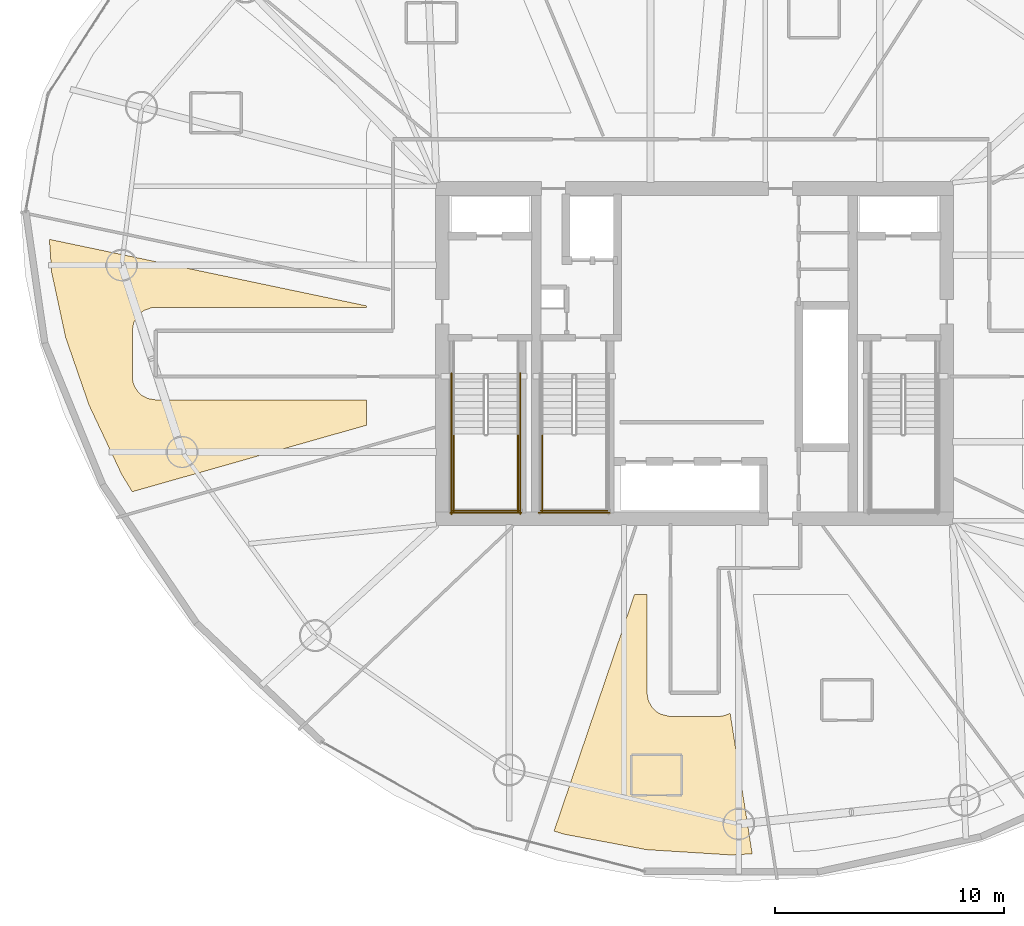
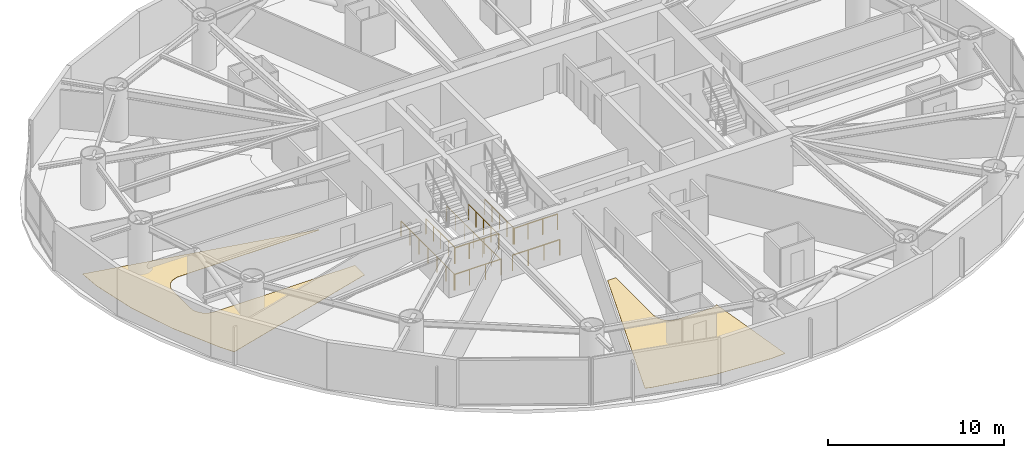
# One storey, part 19 of 22: 9 railings, 2 coverings.
"""IFC4 building model written with IfcOpenShell, lengths in metres."""

from ifc_helpers import new_model, si_unit, direction, frame, origin, origin_2d, place, context, subcontext, project, spatial, polyline, circle, outline, extrude, material, layer, layer_set, type_object, element, save


model = new_model("IFC4")

# Units and contexts
model_context = context("Model", 3, precision=1e-05, world=origin(), true_north=direction((0.0, 1.0)))
body_context = subcontext(model_context, "Body", "Model", "MODEL_VIEW")
ifc_project = project(units=[si_unit("LENGTHUNIT", "METRE"), si_unit("AREAUNIT", "SQUARE_METRE"), si_unit("VOLUMEUNIT", "CUBIC_METRE"), si_unit("PLANEANGLEUNIT", "RADIAN"), si_unit("MASSUNIT", "GRAM", prefix="KILO")], contexts=[model_context])

# Site, building, storey
site_placement = place(None, origin())
site = spatial("IfcSite", under=ifc_project, at=site_placement, CompositionType="ELEMENT")
building_placement = place(site_placement, origin())
building = spatial("IfcBuilding", under=site, at=building_placement, Name="Bramvorn Convention Spire", CompositionType="ELEMENT")
storey_placement = place(building_placement, frame((0.0, 0.0, 120.300048828125)))
storey = spatial("IfcBuildingStorey", under=building, at=storey_placement, Name="L29", CompositionType="ELEMENT", Elevation=120.300048828125)

# Coverings
ifc_material_1 = material(Name="Solution-Dyed Wool Broadloom Hospitality Carpet", Category="textile")
ifc_layer = layer(ifc_material_1, 0.014892578125)
ifc_layer_set = layer_set([ifc_layer], Name="Solution-Dyed Wool Broadloom Hospitality Carpet - FLR-CARPET-15")
covering_type = type_object("IfcCoveringType", Name="FLR-CARPET-15", PredefinedType="FLOORING", material=ifc_layer_set)
covering_1_placement = place(storey_placement, origin())
element("IfcCovering", 1, at=covering_1_placement, inside=storey, type_object=covering_type, Name="Hotel Suite 2907 wool broadloom carpet", PredefinedType="FLOORING", context=body_context, shape_type="SweptSolid", body=[
    extrude(outline(polyline([(13.0185546875, 20.732421875), (13.476318359375, 19.974609375), (23.699951171875, 22.876708984375), (23.699951171875, 23.97998046875), (14.5, 23.97998046875), (14.15087890625, 24.041748046875), (13.897216796875, 24.17724609375), (13.740478515625, 24.319580078125), (13.58056640625, 24.55859375), (13.50927734375, 24.7578125), (13.47998046875, 25.0), (13.47998046875, 27.0), (13.541748046875, 27.34912109375), (13.740478515625, 27.680419921875), (13.980712890625, 27.877685546875), (14.356201171875, 28.009765625), (23.699951171875, 28.02001953125), (23.699951171875, 28.079833984375), (9.86376953125, 30.98193359375), (9.964599609375, 29.542236328125), (10.572998046875, 26.70751953125), (11.59521484375, 23.748779296875), (13.0185546875, 20.732421875)])), origin(), (0.0, 0.0, 1.0), 0.014892578125),
])
covering_2_placement = place(storey_placement, origin())
element("IfcCovering", 2, at=covering_2_placement, inside=storey, type_object=covering_type, Name="Hotel Suite 2910 wool broadloom carpet", PredefinedType="FLOORING", context=body_context, shape_type="SweptSolid", body=[
    extrude(outline(polyline([(39.5966796875, 4.13525390625), (40.51416015625, 4.184326171875), (39.552001953125, 10.31298828125), (39.303466796875, 10.212158203125), (39.10595703125, 10.181640625), (36.89404296875, 10.181640625), (36.508544921875, 10.280517578125), (36.337646484375, 10.384521484375), (36.134521484375, 10.587646484375), (35.98779296875, 10.862060546875), (35.93115234375, 11.15576171875), (35.929931640625, 15.5), (35.38232421875, 15.5), (31.874755859375, 5.17822265625), (32.276611328125, 5.047119140625), (35.909912109375, 4.364501953125), (39.5966796875, 4.13525390625)])), origin(), (0.0, 0.0, 1.0), 0.014892578125),
])

# Railings
ifc_material_2 = material(Name="Painted Steel Balustrade & Guardrail", Category="steel")
railing_type = type_object("IfcRailingType", Name="RL-STAIR-GUARD-1100", PredefinedType="GUARDRAIL", material=ifc_material_2)
for number, where, name in (
    (3, (27.5, 22.485107421875, 1.75), "L29 ST1 stair guard 3"),
    (4, (30.300048828125, 22.485107421875, 1.75), "L29 ST1 stair guard 4"),
):
    element("IfcRailing", number, at=place(storey_placement, frame(where)), inside=storey, type_object=railing_type, Name=name, PredefinedType="GUARDRAIL", context=body_context, shape_type="SweptSolid", body=[
        extrude(circle(Radius=0.02392578125, at=origin_2d()), frame((0.0, 0.0, 1.076171875), z_axis=(0.0, -1.0, 0.0), x_axis=(1.0, 0.0, 0.0)), (0.0, 0.0, 1.0), 3.385009765625),
        extrude(circle(Radius=0.02099609375, at=origin_2d()), origin(), (0.0, 0.0, 1.0), 1.052001953125),
        extrude(circle(Radius=0.02099609375, at=origin_2d()), frame((0.0, -0.84619140625, 0.0)), (0.0, 0.0, 1.0), 1.052001953125),
        extrude(circle(Radius=0.02099609375, at=origin_2d()), frame((0.0, -1.6923828125, 0.0)), (0.0, 0.0, 1.0), 1.052001953125),
        extrude(circle(Radius=0.02099609375, at=origin_2d()), frame((0.0, -2.538818359375, 0.0)), (0.0, 0.0, 1.0), 1.052001953125),
        extrude(circle(Radius=0.02099609375, at=origin_2d()), frame((0.0, -3.385009765625, 0.0)), (0.0, 0.0, 1.0), 1.052001953125),
    ])
railing_1_placement = place(storey_placement, frame((27.449951171875, 19.14990234375, 1.75)))
element("IfcRailing", 5, at=railing_1_placement, inside=storey, type_object=railing_type, Name="L29 ST1 stair guard 5", PredefinedType="GUARDRAIL", context=body_context, shape_type="SweptSolid", body=[
    extrude(circle(Radius=0.02392578125, at=origin_2d()), frame((0.0, 0.0, 1.076171875), z_axis=(1.0, 0.0, 0.0), x_axis=(0.0, 1.0, 0.0)), (0.0, 0.0, 1.0), 2.900146484375),
    extrude(circle(Radius=0.02099609375, at=origin_2d()), origin(), (0.0, 0.0, 1.0), 1.052001953125),
    extrude(circle(Radius=0.02099609375, at=origin_2d()), frame((0.966796875, 0.0, 0.0)), (0.0, 0.0, 1.0), 1.052001953125),
    extrude(circle(Radius=0.02099609375, at=origin_2d()), frame((1.933349609375, 0.0, 0.0)), (0.0, 0.0, 1.0), 1.052001953125),
    extrude(circle(Radius=0.02099609375, at=origin_2d()), frame((2.900146484375, 0.0, 0.0)), (0.0, 0.0, 1.0), 1.052001953125),
])
for number, where, name in (
    (6, (27.39990234375, 25.14990234375, 0.0), "L29 ST1 stair guard 10"),
    (7, (30.39990234375, 25.14990234375, 0.0), "L29 ST1 stair guard 11"),
):
    element("IfcRailing", number, at=place(storey_placement, frame(where)), inside=storey, type_object=railing_type, Name=name, PredefinedType="GUARDRAIL", context=body_context, shape_type="SweptSolid", body=[
        extrude(circle(Radius=0.02392578125, at=origin_2d()), frame((0.0, 0.0, 1.076171875), z_axis=(0.0, -1.0, 0.0), x_axis=(1.0, 0.0, 0.0)), (0.0, 0.0, 1.0), 6.14990234375),
        extrude(circle(Radius=0.02099609375, at=origin_2d()), origin(), (0.0, 0.0, 1.0), 1.052001953125),
        extrude(circle(Radius=0.02099609375, at=origin_2d()), frame((0.0, -1.02490234375, 0.0)), (0.0, 0.0, 1.0), 1.052001953125),
        extrude(circle(Radius=0.02099609375, at=origin_2d()), frame((0.0, -2.050048828125, 0.0)), (0.0, 0.0, 1.0), 1.052001953125),
        extrude(circle(Radius=0.02099609375, at=origin_2d()), frame((0.0, -3.074951171875, 0.0)), (0.0, 0.0, 1.0), 1.052001953125),
        extrude(circle(Radius=0.02099609375, at=origin_2d()), frame((0.0, -4.099853515625, 0.0)), (0.0, 0.0, 1.0), 1.052001953125),
        extrude(circle(Radius=0.02099609375, at=origin_2d()), frame((0.0, -5.125, 0.0)), (0.0, 0.0, 1.0), 1.052001953125),
        extrude(circle(Radius=0.02099609375, at=origin_2d()), frame((0.0, -6.14990234375, 0.0)), (0.0, 0.0, 1.0), 1.052001953125),
    ])
railing_2_placement = place(storey_placement, frame((27.35009765625, 19.050048828125, 0.0)))
element("IfcRailing", 8, at=railing_2_placement, inside=storey, type_object=railing_type, Name="L29 ST1 stair guard 12", PredefinedType="GUARDRAIL", context=body_context, shape_type="SweptSolid", body=[
    extrude(circle(Radius=0.02392578125, at=origin_2d()), frame((0.0, 0.0, 1.076171875), z_axis=(1.0, 0.0, 0.0), x_axis=(0.0, 1.0, 0.0)), (0.0, 0.0, 1.0), 3.099853515625),
    extrude(circle(Radius=0.02099609375, at=origin_2d()), origin(), (0.0, 0.0, 1.0), 1.052001953125),
    extrude(circle(Radius=0.02099609375, at=origin_2d()), frame((1.033203125, 0.0, 0.0)), (0.0, 0.0, 1.0), 1.052001953125),
    extrude(circle(Radius=0.02099609375, at=origin_2d()), frame((2.066650390625, 0.0, 0.0)), (0.0, 0.0, 1.0), 1.052001953125),
    extrude(circle(Radius=0.02099609375, at=origin_2d()), frame((3.099853515625, 0.0, 0.0)), (0.0, 0.0, 1.0), 1.052001953125),
])
railing_3_placement = place(storey_placement, frame((31.35009765625, 22.485107421875, 1.75)))
element("IfcRailing", 9, at=railing_3_placement, inside=storey, type_object=railing_type, Name="L29 ST3 stair guard 3", PredefinedType="GUARDRAIL", context=body_context, shape_type="SweptSolid", body=[
    extrude(circle(Radius=0.02392578125, at=origin_2d()), frame((0.0, 0.0, 1.076171875), z_axis=(0.0, -1.0, 0.0), x_axis=(1.0, 0.0, 0.0)), (0.0, 0.0, 1.0), 3.385009765625),
    extrude(circle(Radius=0.02099609375, at=origin_2d()), origin(), (0.0, 0.0, 1.0), 1.052001953125),
    extrude(circle(Radius=0.02099609375, at=origin_2d()), frame((0.0, -0.84619140625, 0.0)), (0.0, 0.0, 1.0), 1.052001953125),
    extrude(circle(Radius=0.02099609375, at=origin_2d()), frame((0.0, -1.6923828125, 0.0)), (0.0, 0.0, 1.0), 1.052001953125),
    extrude(circle(Radius=0.02099609375, at=origin_2d()), frame((0.0, -2.538818359375, 0.0)), (0.0, 0.0, 1.0), 1.052001953125),
    extrude(circle(Radius=0.02099609375, at=origin_2d()), frame((0.0, -3.385009765625, 0.0)), (0.0, 0.0, 1.0), 1.052001953125),
])
railing_4_placement = place(storey_placement, frame((31.300048828125, 19.14990234375, 1.75)))
element("IfcRailing", 10, at=railing_4_placement, inside=storey, type_object=railing_type, Name="L29 ST3 stair guard 5", PredefinedType="GUARDRAIL", context=body_context, shape_type="SweptSolid", body=[
    extrude(circle(Radius=0.02392578125, at=origin_2d()), frame((0.0, 0.0, 1.076171875), z_axis=(1.0, 0.0, 0.0), x_axis=(0.0, 1.0, 0.0)), (0.0, 0.0, 1.0), 2.89990234375),
    extrude(circle(Radius=0.02099609375, at=origin_2d()), origin(), (0.0, 0.0, 1.0), 1.052001953125),
    extrude(circle(Radius=0.02099609375, at=origin_2d()), frame((0.966552734375, 0.0, 0.0)), (0.0, 0.0, 1.0), 1.052001953125),
    extrude(circle(Radius=0.02099609375, at=origin_2d()), frame((1.933349609375, 0.0, 0.0)), (0.0, 0.0, 1.0), 1.052001953125),
    extrude(circle(Radius=0.02099609375, at=origin_2d()), frame((2.89990234375, 0.0, 0.0)), (0.0, 0.0, 1.0), 1.052001953125),
])
railing_5_placement = place(storey_placement, frame((31.199951171875, 19.050048828125, 0.0)))
element("IfcRailing", 11, at=railing_5_placement, inside=storey, type_object=railing_type, Name="L29 ST3 stair guard 12", PredefinedType="GUARDRAIL", context=body_context, shape_type="SweptSolid", body=[
    extrude(circle(Radius=0.02392578125, at=origin_2d()), frame((0.0, 0.0, 1.076171875), z_axis=(1.0, 0.0, 0.0), x_axis=(0.0, 1.0, 0.0)), (0.0, 0.0, 1.0), 3.10009765625),
    extrude(circle(Radius=0.02099609375, at=origin_2d()), origin(), (0.0, 0.0, 1.0), 1.052001953125),
    extrude(circle(Radius=0.02099609375, at=origin_2d()), frame((1.033447265625, 0.0, 0.0)), (0.0, 0.0, 1.0), 1.052001953125),
    extrude(circle(Radius=0.02099609375, at=origin_2d()), frame((2.066650390625, 0.0, 0.0)), (0.0, 0.0, 1.0), 1.052001953125),
    extrude(circle(Radius=0.02099609375, at=origin_2d()), frame((3.10009765625, 0.0, 0.0)), (0.0, 0.0, 1.0), 1.052001953125),
])

save(model, "model.ifc")
